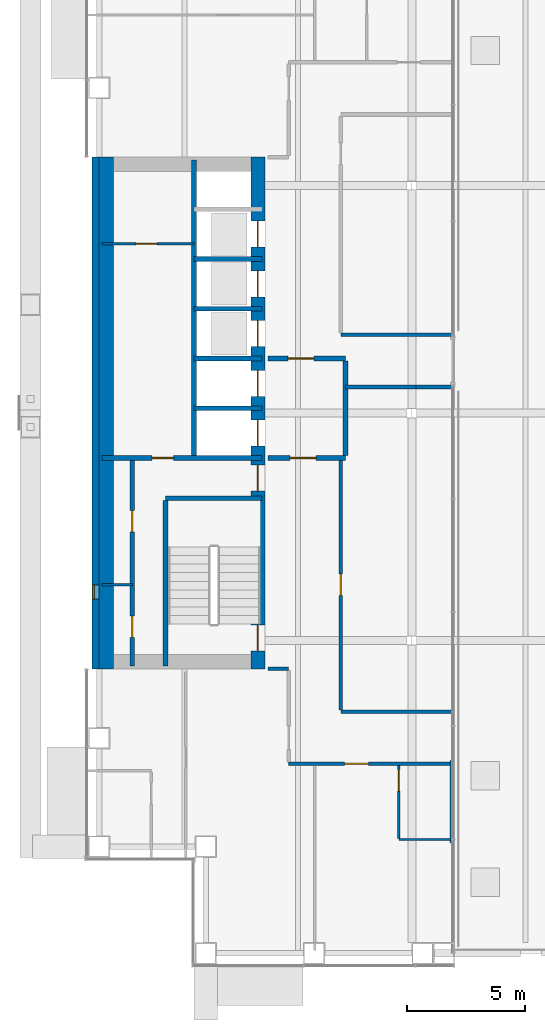
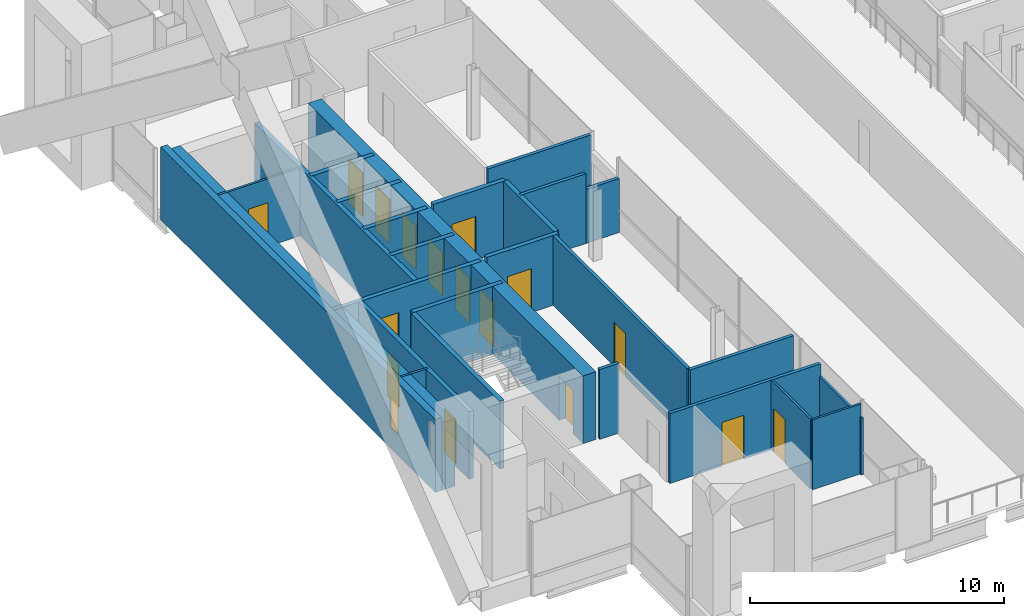
# One storey, part 13 of 20: 27 walls, 16 doors, 1 window, 17 openings.
"""IFC4 building model written with IfcOpenShell, lengths in metres."""

from ifc_helpers import new_model, si_unit, direction, frame, frame_2d, origin, place, context, subcontext, project, spatial, rectangle, extrude, material, layer, layer_set, type_object, element, fill, save


model = new_model("IFC4")

# Units and contexts
model_context = context("Model", 3, precision=1e-05, world=origin(), true_north=direction((0.0, 1.0)))
body_context = subcontext(model_context, "Body", "Model", "MODEL_VIEW")
ifc_project = project(units=[si_unit("LENGTHUNIT", "METRE"), si_unit("AREAUNIT", "SQUARE_METRE"), si_unit("VOLUMEUNIT", "CUBIC_METRE"), si_unit("PLANEANGLEUNIT", "RADIAN"), si_unit("MASSUNIT", "GRAM", prefix="KILO")], contexts=[model_context])

# Site, building, storey
site_placement = place(None, origin())
site = spatial("IfcSite", under=ifc_project, at=site_placement, CompositionType="ELEMENT")
building_placement = place(site_placement, origin())
building = spatial("IfcBuilding", under=site, at=building_placement, Name="Cobrizo Arcos Hotel Tower", CompositionType="ELEMENT")
storey_placement = place(building_placement, frame((0.0, 0.0, 117.0)))
storey = spatial("IfcBuildingStorey", under=building, at=storey_placement, Name="L29", CompositionType="ELEMENT", Elevation=117.0)

# Wall, opening, door
ifc_material_1 = material(Name="Gypsum board partition")
ifc_layer_1 = layer(ifc_material_1, 0.14990234375)
ifc_layer_set_1 = layer_set([ifc_layer_1], Name="Corridor wall EI 60 150")
wall_type_1 = type_object("IfcWallType", Name="Corridor wall EI 60 150", PredefinedType="PARTITIONING", material=ifc_layer_set_1)
wall_1_placement = place(storey_placement, frame((-14.800048828125, -14.800048828125, 0.0), z_axis=(0.0, 0.0, 1.0), x_axis=(1.0, 0.0, 0.0)))
wall_1 = element("IfcWall", 1, at=wall_1_placement, inside=storey, type_object=wall_type_1, Name="Partition 006", PredefinedType="PARTITIONING", context=body_context, shape_type="SweptSolid", body=[
    extrude(rectangle(XDim=6.85009765625, YDim=0.14990234375, at=frame_2d((3.425048828125, 0.0))), origin(), (0.0, 0.0, 1.0), 3.35009765625),
])
opening_1_placement = place(wall_1_placement, frame((2.363037109375, 0.0, 0.0)))
opening_1 = element("IfcOpeningElement", 2, at=opening_1_placement, cuts=wall_1, Name="Opening GD-04", PredefinedType="OPENING", context=body_context, shape_type="SweptSolid", body=[
    extrude(rectangle(XDim=1.0, YDim=2.10009765625, at=frame_2d((0.5, 1.050048828125))), frame((0.0, 0.0869140625, 0.0), z_axis=(0.0, -1.0, 0.0), x_axis=(1.0, 0.0, 0.0)), (0.0, 0.0, 1.0), 0.173828125),
])
ifc_material_2 = material(Name="Timber door leaf", Category="wood")
door_type_1 = type_object("IfcDoorType", Name="Guest room door FD30S 1000x2100", OperationType="SINGLE_SWING_LEFT", PredefinedType="DOOR", material=ifc_material_2)
door_1_placement = place(opening_1_placement, origin())
door_1 = element("IfcDoor", 3, at=door_1_placement, inside=storey, type_object=door_type_1, Name="Door GD-04", OperationType="SINGLE_SWING_RIGHT", OverallHeight=2.10009765625, OverallWidth=1.0, PredefinedType="DOOR", context=body_context, shape_type="SweptSolid", body=[
    extrude(rectangle(XDim=1.0, YDim=2.10009765625, at=frame_2d((0.5, 1.050048828125))), frame((0.0, 0.02490234375, 0.0), z_axis=(0.0, -1.0, 0.0), x_axis=(1.0, 0.0, 0.0)), (0.0, 0.0, 1.0), 0.050048828125),
])
fill(opening_1, door_1)

# Walls
wall_2_placement = place(storey_placement, frame((-12.60009765625, -12.60009765625, 0.0), z_axis=(0.0, 0.0, 1.0), x_axis=(1.0, 0.0, 0.0)))
element("IfcWall", 4, at=wall_2_placement, inside=storey, type_object=wall_type_1, Name="Partition 008", PredefinedType="PARTITIONING", context=body_context, shape_type="SweptSolid", body=[
    extrude(rectangle(XDim=4.68017578125, YDim=0.14990234375, at=frame_2d((2.340087890625, 0.0))), origin(), (0.0, 0.0, 1.0), 3.35009765625),
])
wall_3_placement = place(storey_placement, frame((-15.679931640625, -10.800048828125, 0.0), z_axis=(0.0, 0.0, 1.0), x_axis=(1.0, 0.0, 0.0)))
element("IfcWall", 5, at=wall_3_placement, inside=storey, type_object=wall_type_1, Name="Partition 010", PredefinedType="PARTITIONING", context=body_context, shape_type="SweptSolid", body=[
    extrude(rectangle(XDim=0.8798828125, YDim=0.14990234375, at=frame_2d((0.43994140625, 0.0))), origin(), (0.0, 0.0, 1.0), 3.35009765625),
])
wall_4_placement = place(storey_placement, frame((-12.39990234375, 1.10009765625, 0.0), z_axis=(0.0, 0.0, 1.0), x_axis=(1.0, 0.0, 0.0)))
element("IfcWall", 6, at=wall_4_placement, inside=storey, type_object=wall_type_1, Name="Partition 022", PredefinedType="PARTITIONING", context=body_context, shape_type="SweptSolid", body=[
    extrude(rectangle(XDim=2.9638671875, YDim=0.14990234375, at=frame_2d((1.48193359375, 0.0))), origin(), (0.0, 0.0, 1.0), 3.35009765625),
])
wall_5_placement = place(storey_placement, frame((-9.43603515625, 1.10009765625, 0.0), z_axis=(0.0, 0.0, 1.0), x_axis=(1.0, 0.0, 0.0)))
element("IfcWall", 7, at=wall_5_placement, inside=storey, type_object=wall_type_1, Name="Partition 023", PredefinedType="PARTITIONING", context=body_context, shape_type="SweptSolid", body=[
    extrude(rectangle(XDim=1.51611328125, YDim=0.14990234375, at=frame_2d((0.758056640625, 0.0))), origin(), (0.0, 0.0, 1.0), 2.593017578125),
])
wall_6_placement = place(storey_placement, frame((-12.60009765625, 3.300048828125, 0.0), z_axis=(0.0, 0.0, 1.0), x_axis=(1.0, 0.0, 0.0)))
element("IfcWall", 8, at=wall_6_placement, inside=storey, type_object=wall_type_1, Name="Partition 030", PredefinedType="PARTITIONING", context=body_context, shape_type="SweptSolid", body=[
    extrude(rectangle(XDim=4.68017578125, YDim=0.14990234375, at=frame_2d((2.340087890625, 0.0))), origin(), (0.0, 0.0, 1.0), 3.35009765625),
])

# Wall, opening, door
wall_7_placement = place(storey_placement, frame((-12.60009765625, -12.52490234375, 0.0), z_axis=(0.0, 0.0, 1.0), x_axis=(0.0, 1.0, 0.0)))
wall_7 = element("IfcWall", 9, at=wall_7_placement, inside=storey, type_object=wall_type_1, Name="Partition 062", PredefinedType="PARTITIONING", context=body_context, shape_type="SweptSolid", body=[
    extrude(rectangle(XDim=10.52490234375, YDim=0.14990234375, at=frame_2d((5.262451171875, 0.0))), origin(), (0.0, 0.0, 1.0), 3.35009765625),
])
opening_2_placement = place(wall_7_placement, frame((4.824951171875, 0.0, 0.0)))
opening_2 = element("IfcOpeningElement", 10, at=opening_2_placement, cuts=wall_7, Name="Opening RD-12", PredefinedType="OPENING", context=body_context, shape_type="SweptSolid", body=[
    extrude(rectangle(XDim=0.89990234375, YDim=2.10009765625, at=frame_2d((0.449951171875, 1.050048828125))), frame((0.0, 0.0869140625, 0.0), z_axis=(0.0, -1.0, 0.0), x_axis=(1.0, 0.0, 0.0)), (0.0, 0.0, 1.0), 0.173828125),
])
door_type_2 = type_object("IfcDoorType", Name="Room door FD30 900x2100", OperationType="SINGLE_SWING_LEFT", PredefinedType="DOOR", material=ifc_material_2)
door_2_placement = place(opening_2_placement, origin())
door_2 = element("IfcDoor", 11, at=door_2_placement, inside=storey, type_object=door_type_2, Name="Door RD-12", OperationType="SINGLE_SWING_LEFT", OverallHeight=2.10009765625, OverallWidth=0.89990234375, PredefinedType="DOOR", context=body_context, shape_type="SweptSolid", body=[
    extrude(rectangle(XDim=0.89990234375, YDim=2.10009765625, at=frame_2d((0.449951171875, 1.050048828125))), frame((0.0, 0.02490234375, 0.0), z_axis=(0.0, -1.0, 0.0), x_axis=(1.0, 0.0, 0.0)), (0.0, 0.0, 1.0), 0.050048828125),
])
fill(opening_2, door_2)

# Wall, opening, window
ifc_material_3 = material(Name="Aluminium composite panel pale metal", Category="aluminium")
ifc_layer_2 = layer(ifc_material_3, 0.300048828125)
ifc_layer_set_2 = layer_set([ifc_layer_2], Name="EW-1 insulated panel wall 300")
wall_type_2 = type_object("IfcWallType", Name="EW-1 insulated panel wall 300", PredefinedType="SOLIDWALL", material=ifc_layer_set_2)
wall_8_placement = place(storey_placement, frame((-22.949951171875, 10.800048828125, 0.0), z_axis=(0.0, 0.0, 1.0), x_axis=(0.0, -1.0, 0.0)))
wall_8 = element("IfcWall", 12, at=wall_8_placement, inside=storey, type_object=wall_type_2, Name="Core face wall L29 W", PredefinedType="SOLIDWALL", context=body_context, shape_type="SweptSolid", body=[
    extrude(rectangle(XDim=21.60009765625, YDim=0.300048828125, at=frame_2d((10.800048828125, 0.0))), origin(), (0.0, 0.0, 1.0), 3.5),
])
opening_3_placement = place(wall_8_placement, frame((18.050048828125, 0.0, 1.0)))
opening_3 = element("IfcOpeningElement", 13, at=opening_3_placement, cuts=wall_8, Name="Opening W-60", PredefinedType="OPENING", context=body_context, shape_type="SweptSolid", body=[
    extrude(rectangle(XDim=0.60009765625, YDim=1.5, at=frame_2d((0.300048828125, 0.75))), frame((0.0, 0.162109375, 0.0), z_axis=(0.0, -1.0, 0.0), x_axis=(1.0, 0.0, 0.0)), (0.0, 0.0, 1.0), 0.323974609375),
])
ifc_material_4 = material(Name="Aluminium 6063-T6 and clear laminated glass", Category="aluminium")
window_type = type_object("IfcWindowType", Name="W-C1 core stair slot window 600x1500", PartitioningType="SINGLE_PANEL", PredefinedType="WINDOW", material=ifc_material_4)
window_placement = place(opening_3_placement, origin())
window = element("IfcWindow", 14, at=window_placement, inside=storey, type_object=window_type, Name="Core face wall L29 W window W-60", OverallHeight=1.5, OverallWidth=0.60009765625, PartitioningType="SINGLE_PANEL", PredefinedType="WINDOW", context=body_context, shape_type="SweptSolid", body=[
    extrude(rectangle(XDim=0.60009765625, YDim=1.5, at=frame_2d((0.300048828125, 0.75))), frame((0.0, -0.06005859375, 0.0), z_axis=(0.0, -1.0, 0.0), x_axis=(1.0, 0.0, 0.0)), (0.0, 0.0, 1.0), 0.06005859375),
])
fill(opening_3, window)

# Walls
ifc_layer_3 = layer(ifc_material_1, 0.10009765625)
ifc_layer_set_3 = layer_set([ifc_layer_3], Name="Partition EI 30 100")
wall_type_3 = type_object("IfcWallType", Name="Partition EI 30 100", PredefinedType="PARTITIONING", material=ifc_layer_set_3)
wall_9_placement = place(storey_placement, frame((-10.14990234375, -18.0, 0.0), z_axis=(0.0, 0.0, 1.0), x_axis=(1.0, 0.0, 0.0)))
element("IfcWall", 15, at=wall_9_placement, inside=storey, type_object=wall_type_3, Name="Partition 002", PredefinedType="PARTITIONING", context=body_context, shape_type="SweptSolid", body=[
    extrude(rectangle(XDim=2.199951171875, YDim=0.10009765625, at=frame_2d((1.10009765625, 0.0))), origin(), (0.0, 0.0, 1.0), 3.35009765625),
])
wall_10_placement = place(storey_placement, frame((-22.679931640625, -7.25, 0.0), z_axis=(0.0, 0.0, 1.0), x_axis=(1.0, 0.0, 0.0)))
element("IfcWall", 16, at=wall_10_placement, inside=storey, type_object=wall_type_3, Name="Partition 012", PredefinedType="PARTITIONING", context=body_context, shape_type="SweptSolid", body=[
    extrude(rectangle(XDim=1.280029296875, YDim=0.10009765625, at=frame_2d((0.64013671875, 0.0))), origin(), (0.0, 0.0, 1.0), 3.25),
])

# Wall, opening, door
wall_11_placement = place(storey_placement, frame((-22.679931640625, 7.14990234375, 0.0), z_axis=(0.0, 0.0, 1.0), x_axis=(1.0, 0.0, 0.0)))
wall_11 = element("IfcWall", 17, at=wall_11_placement, inside=storey, type_object=wall_type_3, Name="Partition 036", PredefinedType="PARTITIONING", context=body_context, shape_type="SweptSolid", body=[
    extrude(rectangle(XDim=3.8798828125, YDim=0.10009765625, at=frame_2d((1.93994140625, 0.0))), origin(), (0.0, 0.0, 1.0), 3.25),
])
opening_4_placement = place(wall_11_placement, frame((1.429931640625, 0.0, 0.0)))
opening_4 = element("IfcOpeningElement", 18, at=opening_4_placement, cuts=wall_11, Name="Opening RD-03", PredefinedType="OPENING", context=body_context, shape_type="SweptSolid", body=[
    extrude(rectangle(XDim=0.89990234375, YDim=2.10009765625, at=frame_2d((0.449951171875, 1.050048828125))), frame((0.0, 0.06201171875, 0.0), z_axis=(0.0, -1.0, 0.0), x_axis=(1.0, 0.0, 0.0)), (0.0, 0.0, 1.0), 0.1240234375),
])
door_3_placement = place(opening_4_placement, origin())
door_3 = element("IfcDoor", 19, at=door_3_placement, inside=storey, type_object=door_type_2, Name="Door RD-03", OperationType="SINGLE_SWING_RIGHT", OverallHeight=2.10009765625, OverallWidth=0.89990234375, PredefinedType="DOOR", context=body_context, shape_type="SweptSolid", body=[
    extrude(rectangle(XDim=0.89990234375, YDim=2.10009765625, at=frame_2d((0.449951171875, 1.050048828125))), frame((0.0, 0.02490234375, 0.0), z_axis=(0.0, -1.0, 0.0), x_axis=(1.0, 0.0, 0.0)), (0.0, 0.0, 1.0), 0.050048828125),
])
fill(opening_4, door_3)

wall_12_placement = place(storey_placement, frame((-10.14990234375, -17.949951171875, 0.0), z_axis=(0.0, 0.0, 1.0), x_axis=(0.0, 1.0, 0.0)))
wall_12 = element("IfcWall", 20, at=wall_12_placement, inside=storey, type_object=wall_type_3, Name="Partition 066", PredefinedType="PARTITIONING", context=body_context, shape_type="SweptSolid", body=[
    extrude(rectangle(XDim=3.074951171875, YDim=0.10009765625, at=frame_2d((1.53759765625, 0.0))), origin(), (0.0, 0.0, 1.0), 3.35009765625),
])
opening_5_placement = place(wall_12_placement, frame((1.99609375, 0.0, 0.0)))
opening_5 = element("IfcOpeningElement", 21, at=opening_5_placement, cuts=wall_12, Name="Opening ED-06", PredefinedType="OPENING", context=body_context, shape_type="SweptSolid", body=[
    extrude(rectangle(XDim=0.89990234375, YDim=2.10009765625, at=frame_2d((0.449951171875, 1.050048828125))), frame((0.0, 0.06201171875, 0.0), z_axis=(0.0, -1.0, 0.0), x_axis=(1.0, 0.0, 0.0)), (0.0, 0.0, 1.0), 0.1240234375),
])
door_type_3 = type_object("IfcDoorType", Name="En-suite door 900x2100", OperationType="SINGLE_SWING_LEFT", PredefinedType="DOOR", material=ifc_material_2)
door_4_placement = place(opening_5_placement, origin())
door_4 = element("IfcDoor", 22, at=door_4_placement, inside=storey, type_object=door_type_3, Name="Door ED-06", OperationType="SINGLE_SWING_RIGHT", OverallHeight=2.10009765625, OverallWidth=0.89990234375, PredefinedType="DOOR", context=body_context, shape_type="SweptSolid", body=[
    extrude(rectangle(XDim=0.89990234375, YDim=2.10009765625, at=frame_2d((0.449951171875, 1.050048828125))), frame((0.0, 0.02490234375, 0.0), z_axis=(0.0, -1.0, 0.0), x_axis=(1.0, 0.0, 0.0)), (0.0, 0.0, 1.0), 0.050048828125),
])
fill(opening_5, door_4)

# Wall
wall_13_placement = place(storey_placement, frame((-7.949951171875, -18.139892578125, 0.0), z_axis=(0.0, 0.0, 1.0), x_axis=(0.0, 1.0, 0.0)))
element("IfcWall", 23, at=wall_13_placement, inside=storey, type_object=wall_type_3, Name="Partition 067", PredefinedType="PARTITIONING", context=body_context, shape_type="SweptSolid", body=[
    extrude(rectangle(XDim=3.47998046875, YDim=0.10009765625, at=frame_2d((1.739990234375, 0.0))), origin(), (0.0, 0.0, 1.0), 2.73291015625),
])

# Wall, openings, doors
ifc_material_5 = material(Name="Concrete f'c 50 MPa", Category="concrete")
ifc_layer_4 = layer(ifc_material_5, 0.60009765625)
ifc_layer_set_4 = layer_set([ifc_layer_4], Name="RC core wall 600 f'c 50")
wall_type_4 = type_object("IfcWallType", Name="RC core wall 600 f'c 50", PredefinedType="SHEAR", material=ifc_layer_set_4)
wall_14_placement = place(storey_placement, frame((-16.10009765625, -10.800048828125, 0.0), z_axis=(0.0, 0.0, 1.0), x_axis=(0.0, 1.0, 0.0)))
wall_14 = element("IfcWall", 24, at=wall_14_placement, inside=storey, type_object=wall_type_4, Name="Core wall CW2, west core, inner face, L29", PredefinedType="SHEAR", context=body_context, shape_type="SweptSolid", body=[
    extrude(rectangle(XDim=21.60009765625, YDim=0.60009765625, at=frame_2d((10.800048828125, 0.0))), origin(), (0.0, 0.0, 1.0), 3.25),
])
opening_6_placement = place(wall_14_placement, frame((9.39990234375, 0.0, 0.0)))
opening_6 = element("IfcOpeningElement", 25, at=opening_6_placement, cuts=wall_14, Name="Opening LD-01", PredefinedType="OPENING", context=body_context, shape_type="SweptSolid", body=[
    extrude(rectangle(XDim=1.10009765625, YDim=2.10009765625, at=frame_2d((0.550048828125, 1.050048828125))), frame((0.0, 0.31201171875, 0.0), z_axis=(0.0, -1.0, 0.0), x_axis=(1.0, 0.0, 0.0)), (0.0, 0.0, 1.0), 0.6240234375),
])
opening_7_placement = place(wall_14_placement, frame((11.5, 0.0, 0.0)))
opening_7 = element("IfcOpeningElement", 26, at=opening_7_placement, cuts=wall_14, Name="Opening LD-02", PredefinedType="OPENING", context=body_context, shape_type="SweptSolid", body=[
    extrude(rectangle(XDim=1.10009765625, YDim=2.10009765625, at=frame_2d((0.550048828125, 1.050048828125))), frame((0.0, 0.31201171875, 0.0), z_axis=(0.0, -1.0, 0.0), x_axis=(1.0, 0.0, 0.0)), (0.0, 0.0, 1.0), 0.6240234375),
])
opening_8_placement = place(wall_14_placement, frame((13.60009765625, 0.0, 0.0)))
opening_8 = element("IfcOpeningElement", 27, at=opening_8_placement, cuts=wall_14, Name="Opening LD-03", PredefinedType="OPENING", context=body_context, shape_type="SweptSolid", body=[
    extrude(rectangle(XDim=1.10009765625, YDim=2.10009765625, at=frame_2d((0.550048828125, 1.050048828125))), frame((0.0, 0.31201171875, 0.0), z_axis=(0.0, -1.0, 0.0), x_axis=(1.0, 0.0, 0.0)), (0.0, 0.0, 1.0), 0.6240234375),
])
opening_9_placement = place(wall_14_placement, frame((15.699951171875, 0.0, 0.0)))
opening_9 = element("IfcOpeningElement", 28, at=opening_9_placement, cuts=wall_14, Name="Opening LD-04", PredefinedType="OPENING", context=body_context, shape_type="SweptSolid", body=[
    extrude(rectangle(XDim=1.10009765625, YDim=2.10009765625, at=frame_2d((0.550048828125, 1.050048828125))), frame((0.0, 0.31201171875, 0.0), z_axis=(0.0, -1.0, 0.0), x_axis=(1.0, 0.0, 0.0)), (0.0, 0.0, 1.0), 0.6240234375),
])
opening_10_placement = place(wall_14_placement, frame((17.800048828125, 0.0, 0.0)))
opening_10 = element("IfcOpeningElement", 29, at=opening_10_placement, cuts=wall_14, Name="Opening LD-05", PredefinedType="OPENING", context=body_context, shape_type="SweptSolid", body=[
    extrude(rectangle(XDim=1.10009765625, YDim=2.10009765625, at=frame_2d((0.550048828125, 1.050048828125))), frame((0.0, 0.31201171875, 0.0), z_axis=(0.0, -1.0, 0.0), x_axis=(1.0, 0.0, 0.0)), (0.0, 0.0, 1.0), 0.6240234375),
])
opening_11_placement = place(wall_14_placement, frame((0.758056640625, 0.0, 0.0)))
opening_11 = element("IfcOpeningElement", 30, at=opening_11_placement, cuts=wall_14, Name="Opening SD-01", PredefinedType="OPENING", context=body_context, shape_type="SweptSolid", body=[
    extrude(rectangle(XDim=1.10009765625, YDim=2.10009765625, at=frame_2d((0.550048828125, 1.050048828125))), frame((0.0, 0.31201171875, 0.0), z_axis=(0.0, -1.0, 0.0), x_axis=(1.0, 0.0, 0.0)), (0.0, 0.0, 1.0), 0.6240234375),
])
opening_12_placement = place(wall_14_placement, frame((7.5, 0.0, 0.0)))
opening_12 = element("IfcOpeningElement", 31, at=opening_12_placement, cuts=wall_14, Name="Opening FD-01", PredefinedType="OPENING", context=body_context, shape_type="SweptSolid", body=[
    extrude(rectangle(XDim=1.10009765625, YDim=2.10009765625, at=frame_2d((0.550048828125, 1.050048828125))), frame((0.0, 0.31201171875, 0.0), z_axis=(0.0, -1.0, 0.0), x_axis=(1.0, 0.0, 0.0)), (0.0, 0.0, 1.0), 0.6240234375),
])
ifc_material_6 = material(Name="Steel door leaf", Category="steel")
door_type_4 = type_object("IfcDoorType", Name="Fire door FD60 1100x2100", OperationType="SINGLE_SWING_LEFT", PredefinedType="DOOR", material=ifc_material_6)
door_5_placement = place(opening_12_placement, origin())
door_5 = element("IfcDoor", 32, at=door_5_placement, inside=storey, type_object=door_type_4, Name="Door FD-01", OperationType="SINGLE_SWING_LEFT", OverallHeight=2.10009765625, OverallWidth=1.10009765625, PredefinedType="DOOR", context=body_context, shape_type="SweptSolid", body=[
    extrude(rectangle(XDim=1.10009765625, YDim=2.10009765625, at=frame_2d((0.550048828125, 1.050048828125))), frame((0.0, 0.02490234375, 0.0), z_axis=(0.0, -1.0, 0.0), x_axis=(1.0, 0.0, 0.0)), (0.0, 0.0, 1.0), 0.050048828125),
])
fill(opening_12, door_5)
door_type_5 = type_object("IfcDoorType", Name="Lift landing door 1100x2100", OperationType="SLIDING_TO_LEFT", PredefinedType="DOOR", material=ifc_material_6)
door_6_placement = place(opening_6_placement, origin())
door_6 = element("IfcDoor", 33, at=door_6_placement, inside=storey, type_object=door_type_5, Name="Lift landing door LD-01", OperationType="SLIDING_TO_LEFT", OverallHeight=2.10009765625, OverallWidth=1.10009765625, PredefinedType="DOOR", context=body_context, shape_type="SweptSolid", body=[
    extrude(rectangle(XDim=1.10009765625, YDim=2.10009765625, at=frame_2d((0.550048828125, 1.050048828125))), frame((0.0, 0.02490234375, 0.0), z_axis=(0.0, -1.0, 0.0), x_axis=(1.0, 0.0, 0.0)), (0.0, 0.0, 1.0), 0.050048828125),
])
fill(opening_6, door_6)
door_7_placement = place(opening_7_placement, origin())
door_7 = element("IfcDoor", 34, at=door_7_placement, inside=storey, type_object=door_type_5, Name="Lift landing door LD-02", OperationType="SLIDING_TO_LEFT", OverallHeight=2.10009765625, OverallWidth=1.10009765625, PredefinedType="DOOR", context=body_context, shape_type="SweptSolid", body=[
    extrude(rectangle(XDim=1.10009765625, YDim=2.10009765625, at=frame_2d((0.550048828125, 1.050048828125))), frame((0.0, 0.02490234375, 0.0), z_axis=(0.0, -1.0, 0.0), x_axis=(1.0, 0.0, 0.0)), (0.0, 0.0, 1.0), 0.050048828125),
])
fill(opening_7, door_7)
door_8_placement = place(opening_8_placement, origin())
door_8 = element("IfcDoor", 35, at=door_8_placement, inside=storey, type_object=door_type_5, Name="Lift landing door LD-03", OperationType="SLIDING_TO_LEFT", OverallHeight=2.10009765625, OverallWidth=1.10009765625, PredefinedType="DOOR", context=body_context, shape_type="SweptSolid", body=[
    extrude(rectangle(XDim=1.10009765625, YDim=2.10009765625, at=frame_2d((0.550048828125, 1.050048828125))), frame((0.0, 0.02490234375, 0.0), z_axis=(0.0, -1.0, 0.0), x_axis=(1.0, 0.0, 0.0)), (0.0, 0.0, 1.0), 0.050048828125),
])
fill(opening_8, door_8)
door_9_placement = place(opening_9_placement, origin())
door_9 = element("IfcDoor", 36, at=door_9_placement, inside=storey, type_object=door_type_5, Name="Lift landing door LD-04", OperationType="SLIDING_TO_LEFT", OverallHeight=2.10009765625, OverallWidth=1.10009765625, PredefinedType="DOOR", context=body_context, shape_type="SweptSolid", body=[
    extrude(rectangle(XDim=1.10009765625, YDim=2.10009765625, at=frame_2d((0.550048828125, 1.050048828125))), frame((0.0, 0.02490234375, 0.0), z_axis=(0.0, -1.0, 0.0), x_axis=(1.0, 0.0, 0.0)), (0.0, 0.0, 1.0), 0.050048828125),
])
fill(opening_9, door_9)
door_10_placement = place(opening_10_placement, origin())
door_10 = element("IfcDoor", 37, at=door_10_placement, inside=storey, type_object=door_type_5, Name="Lift landing door LD-05", OperationType="SLIDING_TO_LEFT", OverallHeight=2.10009765625, OverallWidth=1.10009765625, PredefinedType="DOOR", context=body_context, shape_type="SweptSolid", body=[
    extrude(rectangle(XDim=1.10009765625, YDim=2.10009765625, at=frame_2d((0.550048828125, 1.050048828125))), frame((0.0, 0.02490234375, 0.0), z_axis=(0.0, -1.0, 0.0), x_axis=(1.0, 0.0, 0.0)), (0.0, 0.0, 1.0), 0.050048828125),
])
fill(opening_10, door_10)
door_type_6 = type_object("IfcDoorType", Name="Stair door FD60S 1100x2100", OperationType="SINGLE_SWING_LEFT", PredefinedType="DOOR", material=ifc_material_6)
door_11_placement = place(opening_11_placement, origin())
door_11 = element("IfcDoor", 38, at=door_11_placement, inside=storey, type_object=door_type_6, Name="Door SD-01", OperationType="SINGLE_SWING_RIGHT", OverallHeight=2.10009765625, OverallWidth=1.10009765625, PredefinedType="DOOR", context=body_context, shape_type="SweptSolid", body=[
    extrude(rectangle(XDim=1.10009765625, YDim=2.10009765625, at=frame_2d((0.550048828125, 1.050048828125))), frame((0.0, 0.02490234375, 0.0), z_axis=(0.0, -1.0, 0.0), x_axis=(1.0, 0.0, 0.0)), (0.0, 0.0, 1.0), 0.050048828125),
])
fill(opening_11, door_11)

# Wall
wall_15_placement = place(storey_placement, frame((-22.5, -10.800048828125, 0.0), z_axis=(0.0, 0.0, 1.0), x_axis=(0.0, 1.0, 0.0)))
element("IfcWall", 39, at=wall_15_placement, inside=storey, type_object=wall_type_4, Name="Core wall CW2, west core, outer face, L29", PredefinedType="SHEAR", context=body_context, shape_type="SweptSolid", body=[
    extrude(rectangle(XDim=21.60009765625, YDim=0.60009765625, at=frame_2d((10.800048828125, 0.0))), origin(), (0.0, 0.0, 1.0), 3.25),
])

# Wall, opening, door
ifc_layer_5 = layer(ifc_material_1, 0.199951171875)
ifc_layer_set_5 = layer_set([ifc_layer_5], Name="Shaft wall EI 120 200")
wall_type_5 = type_object("IfcWallType", Name="Shaft wall EI 120 200", PredefinedType="PARTITIONING", material=ifc_layer_set_5)
wall_16_placement = place(storey_placement, frame((-22.679931640625, -1.89990234375, 0.0), z_axis=(0.0, 0.0, 1.0), x_axis=(1.0, 0.0, 0.0)))
wall_16 = element("IfcWall", 40, at=wall_16_placement, inside=storey, type_object=wall_type_5, Name="Partition 016", PredefinedType="PARTITIONING", context=body_context, shape_type="SweptSolid", body=[
    extrude(rectangle(XDim=6.760009765625, YDim=0.199951171875, at=frame_2d((3.3798828125, 0.0))), origin(), (0.0, 0.0, 1.0), 3.25),
])
opening_13_placement = place(wall_16_placement, frame((2.1201171875, 0.0, 0.0)))
opening_13 = element("IfcOpeningElement", 41, at=opening_13_placement, cuts=wall_16, Name="Opening RD-02", PredefinedType="OPENING", context=body_context, shape_type="SweptSolid", body=[
    extrude(rectangle(XDim=0.89990234375, YDim=2.10009765625, at=frame_2d((0.449951171875, 1.050048828125))), frame((0.0, 0.112060546875, 0.0), z_axis=(0.0, -1.0, 0.0), x_axis=(1.0, 0.0, 0.0)), (0.0, 0.0, 1.0), 0.223876953125),
])
door_12_placement = place(opening_13_placement, origin())
door_12 = element("IfcDoor", 42, at=door_12_placement, inside=storey, type_object=door_type_2, Name="Door RD-02", OperationType="SINGLE_SWING_LEFT", OverallHeight=2.10009765625, OverallWidth=0.89990234375, PredefinedType="DOOR", context=body_context, shape_type="SweptSolid", body=[
    extrude(rectangle(XDim=0.89990234375, YDim=2.10009765625, at=frame_2d((0.449951171875, 1.050048828125))), frame((0.0, 0.02490234375, 0.0), z_axis=(0.0, -1.0, 0.0), x_axis=(1.0, 0.0, 0.0)), (0.0, 0.0, 1.0), 0.050048828125),
])
fill(opening_13, door_12)

wall_17_placement = place(storey_placement, frame((-15.679931640625, -1.89990234375, 0.0), z_axis=(0.0, 0.0, 1.0), x_axis=(1.0, 0.0, 0.0)))
wall_17 = element("IfcWall", 43, at=wall_17_placement, inside=storey, type_object=wall_type_5, Name="Partition 017", PredefinedType="PARTITIONING", context=body_context, shape_type="SweptSolid", body=[
    extrude(rectangle(XDim=3.280029296875, YDim=0.199951171875, at=frame_2d((1.64013671875, 0.0))), origin(), (0.0, 0.0, 1.0), 3.35009765625),
])
opening_14_placement = place(wall_17_placement, frame((0.93994140625, 0.0, 0.0)))
opening_14 = element("IfcOpeningElement", 44, at=opening_14_placement, cuts=wall_17, Name="Opening FD-02", PredefinedType="OPENING", context=body_context, shape_type="SweptSolid", body=[
    extrude(rectangle(XDim=1.10009765625, YDim=2.10009765625, at=frame_2d((0.550048828125, 1.050048828125))), frame((0.0, 0.112060546875, 0.0), z_axis=(0.0, -1.0, 0.0), x_axis=(1.0, 0.0, 0.0)), (0.0, 0.0, 1.0), 0.223876953125),
])
door_13_placement = place(opening_14_placement, origin())
door_13 = element("IfcDoor", 45, at=door_13_placement, inside=storey, type_object=door_type_4, Name="Door FD-02", OperationType="SINGLE_SWING_RIGHT", OverallHeight=2.10009765625, OverallWidth=1.10009765625, PredefinedType="DOOR", context=body_context, shape_type="SweptSolid", body=[
    extrude(rectangle(XDim=1.10009765625, YDim=2.10009765625, at=frame_2d((0.550048828125, 1.050048828125))), frame((0.0, 0.02490234375, 0.0), z_axis=(0.0, -1.0, 0.0), x_axis=(1.0, 0.0, 0.0)), (0.0, 0.0, 1.0), 0.050048828125),
])
fill(opening_14, door_13)

# Walls
for number, where, z_axis, x_axis, name in (
    (46, (-18.800048828125, 0.199951171875, 0.0), (0.0, 0.0, 1.0), (1.0, 0.0, 0.0), "Partition 020"),
    (47, (-18.800048828125, 2.300048828125, 0.0), (0.0, 0.0, 1.0), (1.0, 0.0, 0.0), "Partition 026"),
):
    element("IfcWall", number, at=place(storey_placement, frame(where, z_axis=z_axis, x_axis=x_axis)), inside=storey, type_object=wall_type_5, Name=name, PredefinedType="PARTITIONING", context=body_context, shape_type="SweptSolid", body=[
        extrude(rectangle(XDim=2.880126953125, YDim=0.199951171875, at=frame_2d((1.43994140625, 0.0))), origin(), (0.0, 0.0, 1.0), 3.25),
    ])

# Wall, opening, door
wall_18_placement = place(storey_placement, frame((-15.679931640625, 2.300048828125, 0.0), z_axis=(0.0, 0.0, 1.0), x_axis=(1.0, 0.0, 0.0)))
wall_18 = element("IfcWall", 48, at=wall_18_placement, inside=storey, type_object=wall_type_5, Name="Partition 027", PredefinedType="PARTITIONING", context=body_context, shape_type="SweptSolid", body=[
    extrude(rectangle(XDim=3.280029296875, YDim=0.199951171875, at=frame_2d((1.64013671875, 0.0))), origin(), (0.0, 0.0, 1.0), 3.35009765625),
])
opening_15_placement = place(wall_18_placement, frame((0.840087890625, 0.0, 0.0)))
opening_15 = element("IfcOpeningElement", 49, at=opening_15_placement, cuts=wall_18, Name="Opening FD-03", PredefinedType="OPENING", context=body_context, shape_type="SweptSolid", body=[
    extrude(rectangle(XDim=1.10009765625, YDim=2.10009765625, at=frame_2d((0.550048828125, 1.050048828125))), frame((0.0, 0.112060546875, 0.0), z_axis=(0.0, -1.0, 0.0), x_axis=(1.0, 0.0, 0.0)), (0.0, 0.0, 1.0), 0.223876953125),
])
door_14_placement = place(opening_15_placement, origin())
door_14 = element("IfcDoor", 50, at=door_14_placement, inside=storey, type_object=door_type_4, Name="Door FD-03", OperationType="SINGLE_SWING_LEFT", OverallHeight=2.10009765625, OverallWidth=1.10009765625, PredefinedType="DOOR", context=body_context, shape_type="SweptSolid", body=[
    extrude(rectangle(XDim=1.10009765625, YDim=2.10009765625, at=frame_2d((0.550048828125, 1.050048828125))), frame((0.0, 0.02490234375, 0.0), z_axis=(0.0, -1.0, 0.0), x_axis=(1.0, 0.0, 0.0)), (0.0, 0.0, 1.0), 0.050048828125),
])
fill(opening_15, door_14)

# Walls
for number, where, z_axis, x_axis, name in (
    (51, (-18.800048828125, 4.39990234375, 0.0), (0.0, 0.0, 1.0), (1.0, 0.0, 0.0), "Partition 032"),
    (52, (-18.800048828125, 6.5, 0.0), (0.0, 0.0, 1.0), (1.0, 0.0, 0.0), "Partition 034"),
):
    element("IfcWall", number, at=place(storey_placement, frame(where, z_axis=z_axis, x_axis=x_axis)), inside=storey, type_object=wall_type_5, Name=name, PredefinedType="PARTITIONING", context=body_context, shape_type="SweptSolid", body=[
        extrude(rectangle(XDim=2.880126953125, YDim=0.199951171875, at=frame_2d((1.43994140625, 0.0))), origin(), (0.0, 0.0, 1.0), 3.25),
    ])

# Wall, openings, doors
wall_19_placement = place(storey_placement, frame((-21.39990234375, -10.679931640625, 0.0), z_axis=(0.0, 0.0, 1.0), x_axis=(0.0, 1.0, 0.0)))
wall_19 = element("IfcWall", 53, at=wall_19_placement, inside=storey, type_object=wall_type_5, Name="Partition 052", PredefinedType="PARTITIONING", context=body_context, shape_type="SweptSolid", body=[
    extrude(rectangle(XDim=8.679931640625, YDim=0.199951171875, at=frame_2d((4.33984375, 0.0))), origin(), (0.0, 0.0, 1.0), 3.25),
])
opening_16_placement = place(wall_19_placement, frame((1.2099609375, 0.0, 0.0)))
opening_16 = element("IfcOpeningElement", 54, at=opening_16_placement, cuts=wall_19, Name="Opening RD-01", PredefinedType="OPENING", context=body_context, shape_type="SweptSolid", body=[
    extrude(rectangle(XDim=0.89990234375, YDim=2.10009765625, at=frame_2d((0.449951171875, 1.050048828125))), frame((0.0, 0.112060546875, 0.0), z_axis=(0.0, -1.0, 0.0), x_axis=(1.0, 0.0, 0.0)), (0.0, 0.0, 1.0), 0.223876953125),
])
opening_17_placement = place(wall_19_placement, frame((5.659912109375, 0.0, 0.0)))
opening_17 = element("IfcOpeningElement", 55, at=opening_17_placement, cuts=wall_19, Name="Opening ED-01", PredefinedType="OPENING", context=body_context, shape_type="SweptSolid", body=[
    extrude(rectangle(XDim=0.89990234375, YDim=2.10009765625, at=frame_2d((0.449951171875, 1.050048828125))), frame((0.0, 0.112060546875, 0.0), z_axis=(0.0, -1.0, 0.0), x_axis=(1.0, 0.0, 0.0)), (0.0, 0.0, 1.0), 0.223876953125),
])
door_15_placement = place(opening_17_placement, origin())
door_15 = element("IfcDoor", 56, at=door_15_placement, inside=storey, type_object=door_type_3, Name="Door ED-01", OperationType="SINGLE_SWING_LEFT", OverallHeight=2.10009765625, OverallWidth=0.89990234375, PredefinedType="DOOR", context=body_context, shape_type="SweptSolid", body=[
    extrude(rectangle(XDim=0.89990234375, YDim=2.10009765625, at=frame_2d((0.449951171875, 1.050048828125))), frame((0.0, 0.02490234375, 0.0), z_axis=(0.0, -1.0, 0.0), x_axis=(1.0, 0.0, 0.0)), (0.0, 0.0, 1.0), 0.050048828125),
])
fill(opening_17, door_15)
door_16_placement = place(opening_16_placement, origin())
door_16 = element("IfcDoor", 57, at=door_16_placement, inside=storey, type_object=door_type_2, Name="Door RD-01", OperationType="SINGLE_SWING_RIGHT", OverallHeight=2.10009765625, OverallWidth=0.89990234375, PredefinedType="DOOR", context=body_context, shape_type="SweptSolid", body=[
    extrude(rectangle(XDim=0.89990234375, YDim=2.10009765625, at=frame_2d((0.449951171875, 1.050048828125))), frame((0.0, 0.02490234375, 0.0), z_axis=(0.0, -1.0, 0.0), x_axis=(1.0, 0.0, 0.0)), (0.0, 0.0, 1.0), 0.050048828125),
])
fill(opening_16, door_16)

# Walls
wall_20_placement = place(storey_placement, frame((-18.800048828125, -1.800048828125, 0.0), z_axis=(0.0, 0.0, 1.0), x_axis=(0.0, 1.0, 0.0)))
element("IfcWall", 58, at=wall_20_placement, inside=storey, type_object=wall_type_5, Name="Partition 056", PredefinedType="PARTITIONING", context=body_context, shape_type="SweptSolid", body=[
    extrude(rectangle(XDim=12.47998046875, YDim=0.199951171875, at=frame_2d((6.239990234375, 0.0))), origin(), (0.0, 0.0, 1.0), 3.25),
])
wall_21_placement = place(storey_placement, frame((-12.39990234375, -1.800048828125, 0.0), z_axis=(0.0, 0.0, 1.0), x_axis=(0.0, 1.0, 0.0)))
element("IfcWall", 59, at=wall_21_placement, inside=storey, type_object=wall_type_5, Name="Partition 064", PredefinedType="PARTITIONING", context=body_context, shape_type="SweptSolid", body=[
    extrude(rectangle(XDim=4.0, YDim=0.199951171875, at=frame_2d((2.0, 0.0))), origin(), (0.0, 0.0, 1.0), 3.35009765625),
])
ifc_material_7 = material(Name="Concrete f'c 40 MPa", Category="concrete")
ifc_layer_6 = layer(ifc_material_7, 0.199951171875)
ifc_layer_set_6 = layer_set([ifc_layer_6], Name="Stair shaft wall 200")
wall_type_6 = type_object("IfcWallType", Name="Stair shaft wall 200", PredefinedType="SHEAR", material=ifc_layer_set_6)
wall_22_placement = place(storey_placement, frame((-20.0, -3.60009765625, 0.0), z_axis=(0.0, 0.0, 1.0), x_axis=(1.0, 0.0, 0.0)))
element("IfcWall", 60, at=wall_22_placement, inside=storey, type_object=wall_type_6, Name="Stair shaft wall W", PredefinedType="SHEAR", context=body_context, shape_type="SweptSolid", body=[
    extrude(rectangle(XDim=4.080078125, YDim=0.199951171875, at=frame_2d((2.0400390625, 0.0))), origin(), (0.0, 0.0, 1.0), 3.25),
])
wall_23_placement = place(storey_placement, frame((-20.0, -10.679931640625, 0.0), z_axis=(0.0, 0.0, 1.0), x_axis=(0.0, 1.0, 0.0)))
element("IfcWall", 61, at=wall_23_placement, inside=storey, type_object=wall_type_6, Name="Stair shaft wall W", PredefinedType="SHEAR", context=body_context, shape_type="SweptSolid", body=[
    extrude(rectangle(XDim=6.97998046875, YDim=0.199951171875, at=frame_2d((3.489990234375, 0.0))), origin(), (0.0, 0.0, 1.0), 3.25),
])

save(model, "model.ifc")
